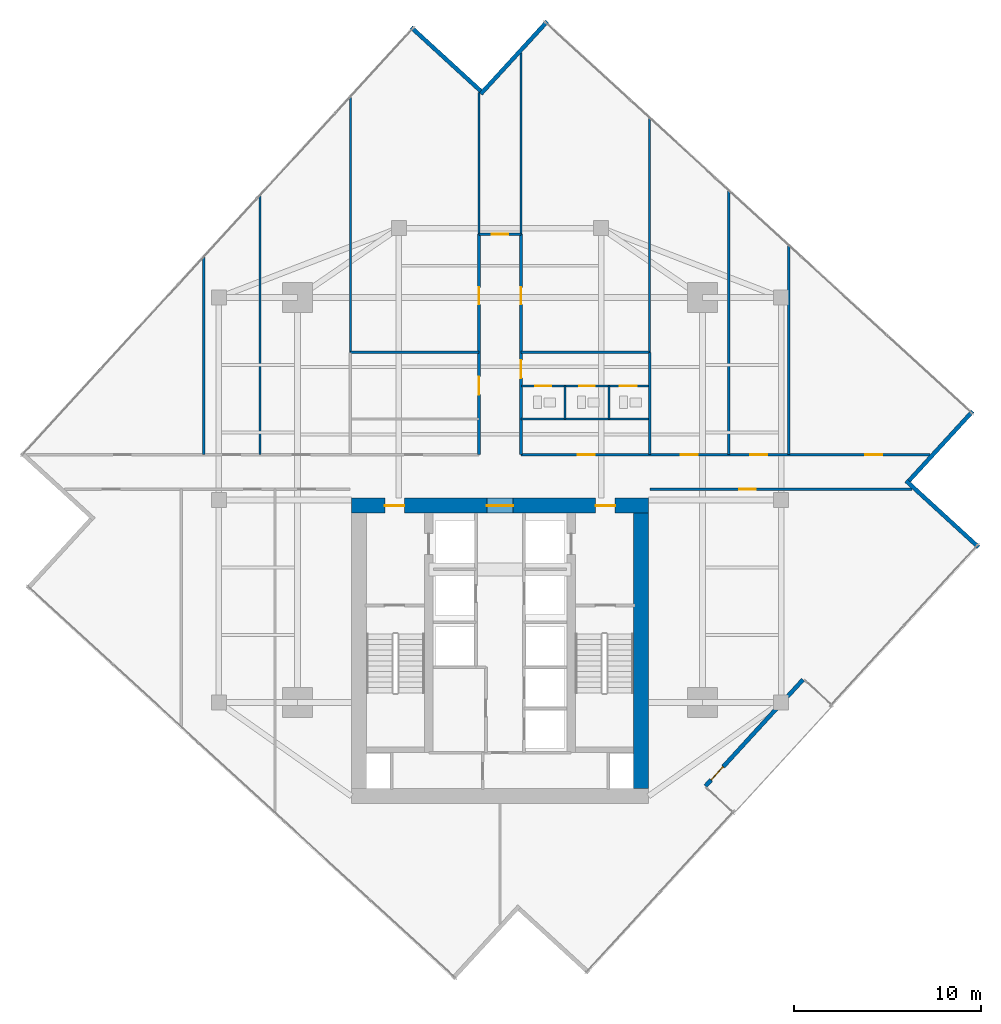
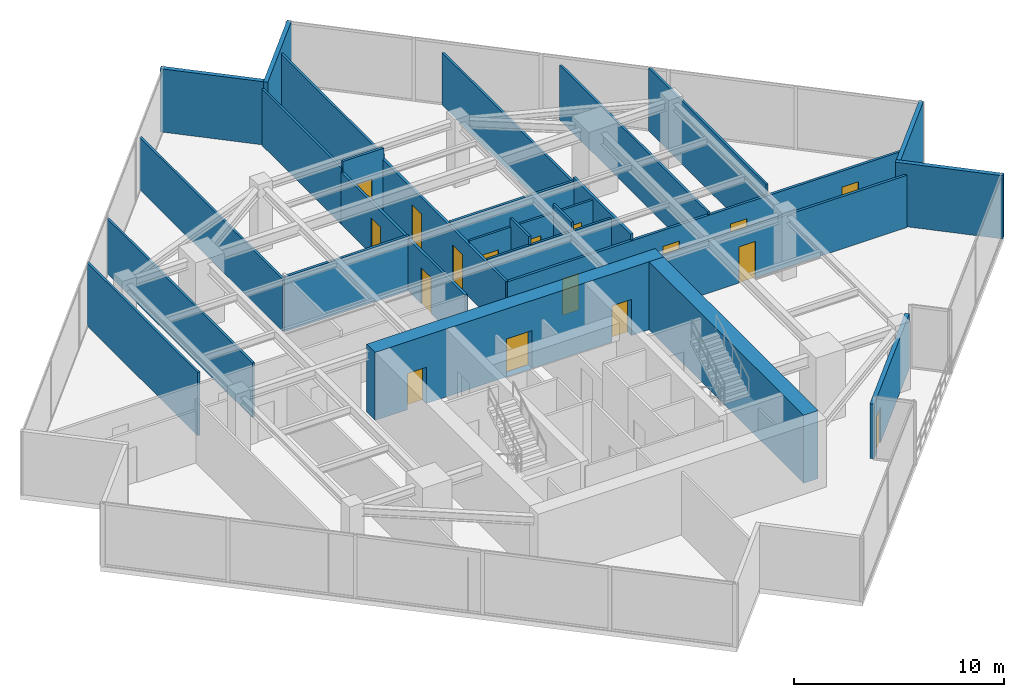
# One storey, part 23 of 26: 27 walls, 17 doors, 17 openings.
"""IFC4 building model written with IfcOpenShell, lengths in metres."""

from ifc_helpers import new_model, si_unit, direction, frame, frame_2d, origin, place, context, subcontext, project, spatial, rectangle, extrude, material, layer, layer_set, type_object, element, fill, save


model = new_model("IFC4")

# Units and contexts
model_context = context("Model", 3, precision=1e-05, world=origin(), true_north=direction((0.0, 1.0)))
body_context = subcontext(model_context, "Body", "Model", "MODEL_VIEW")
ifc_project = project(units=[si_unit("LENGTHUNIT", "METRE"), si_unit("AREAUNIT", "SQUARE_METRE"), si_unit("VOLUMEUNIT", "CUBIC_METRE"), si_unit("PLANEANGLEUNIT", "RADIAN"), si_unit("MASSUNIT", "GRAM", prefix="KILO")], contexts=[model_context])

# Site, building, storey
site_placement = place(None, origin())
site = spatial("IfcSite", under=ifc_project, at=site_placement, CompositionType="ELEMENT")
building_placement = place(site_placement, origin())
building = spatial("IfcBuilding", under=site, at=building_placement, Name="Krantzveldt Concourse Tower", CompositionType="ELEMENT")
storey_placement = place(building_placement, frame((0.0, 0.0, 227.050048828125)))
storey = spatial("IfcBuildingStorey", under=building, at=storey_placement, Name="L55", CompositionType="ELEMENT", Elevation=227.050048828125)

# Wall
ifc_material_1 = material(Name="Anodised aluminium 6063-T6", Category="aluminium")
ifc_layer_1 = layer(ifc_material_1, 0.219970703125, Name="Anodised aluminium 6063-T6", Category="aluminium")
ifc_layer_set_1 = layer_set([ifc_layer_1], Name="Anodised aluminium 6063-T6 (WL-EXT-NOTCH220)")
wall_type_1 = type_object("IfcWallType", Name="WL-EXT-NOTCH220", PredefinedType="ELEMENTEDWALL", material=ifc_layer_set_1)
wall_1_placement = place(storey_placement, frame((34.969482421875, 48.518310546875, 0.0), z_axis=(0.0, 0.0, 1.0), x_axis=(-0.737285215553, 0.675581609375, 0.0)))
element("IfcWall", 1, at=wall_1_placement, inside=storey, type_object=wall_type_1, Name="EW-L55-NCH00", PredefinedType="ELEMENTEDWALL", context=body_context, shape_type="SweptSolid", body=[
    extrude(rectangle(XDim=5.02490234375, YDim=0.219970703125, at=frame_2d((2.512451171875, 0.0))), origin(), (0.0, 0.0, 1.0), 3.669921875),
])

# Wall, opening, door
wall_2_placement = place(storey_placement, frame((52.15625, 17.11083984375, 0.0), z_axis=(0.0, 0.0, 1.0), x_axis=(-0.675590917682, -0.737276686153, 0.0)))
wall_2 = element("IfcWall", 2, at=wall_2_placement, inside=storey, type_object=wall_type_1, Name="EW-L55-TSLOT", PredefinedType="ELEMENTEDWALL", context=body_context, shape_type="SweptSolid", body=[
    extrude(rectangle(XDim=7.68994140625, YDim=0.219970703125, at=frame_2d((3.844970703125, 0.0))), origin(), (0.0, 0.0, 1.0), 3.179931640625),
])
opening_1_placement = place(wall_2_placement, frame((6.2900390625, 0.0, 0.0)))
opening_1 = element("IfcOpeningElement", 3, at=opening_1_placement, cuts=wall_2, Name="Opening D-EX95", PredefinedType="OPENING", context=body_context, shape_type="SweptSolid", body=[
    extrude(rectangle(XDim=0.949951171875, YDim=2.10009765625, at=frame_2d((0.47509765625, 1.050048828125))), frame((0.0, 0.1201171875, 0.0), z_axis=(0.0, -1.0, 0.0), x_axis=(1.0, 0.0, 0.0)), (0.0, 0.0, 1.0), 0.239990234375),
])
door_type_1 = type_object("IfcDoorType", Name="DR-EXT-950", OperationType="SINGLE_SWING_LEFT", PredefinedType="DOOR", material=ifc_material_1)
door_1_placement = place(opening_1_placement, origin())
door_1 = element("IfcDoor", 4, at=door_1_placement, inside=storey, type_object=door_type_1, Name="DR-L55-TERR", OperationType="SINGLE_SWING_LEFT", OverallHeight=2.10009765625, OverallWidth=0.949951171875, PredefinedType="DOOR", context=body_context, shape_type="SweptSolid", body=[
    extrude(rectangle(XDim=0.949951171875, YDim=2.10009765625, at=frame_2d((0.47509765625, 1.050048828125))), frame((0.0, 0.02490234375, 0.0), z_axis=(0.0, -1.0, 0.0), x_axis=(1.0, 0.0, 0.0)), (0.0, 0.0, 1.0), 0.050048828125),
])
fill(opening_1, door_1)

# Walls
wall_3_placement = place(storey_placement, frame((61.530029296875, 24.18017578125, 0.0), z_axis=(0.0, 0.0, 1.0), x_axis=(-0.737293236511, 0.675572855727, 0.0)))
element("IfcWall", 5, at=wall_3_placement, inside=storey, type_object=wall_type_1, Name="EW-L55-NCH12", PredefinedType="ELEMENTEDWALL", context=body_context, shape_type="SweptSolid", body=[
    extrude(rectangle(XDim=5.2451171875, YDim=0.219970703125, at=frame_2d((2.62255859375, 0.0))), origin(), (0.0, 0.0, 1.0), 3.669921875),
])
wall_4_placement = place(storey_placement, frame((57.818359375, 27.73046875, 0.0), z_axis=(0.0, 0.0, 1.0), x_axis=(0.675581609375, 0.737285215553, 0.0)))
element("IfcWall", 6, at=wall_4_placement, inside=storey, type_object=wall_type_1, Name="EW-L55-NCH13", PredefinedType="ELEMENTEDWALL", context=body_context, shape_type="SweptSolid", body=[
    extrude(rectangle(XDim=5.02490234375, YDim=0.219970703125, at=frame_2d((2.512451171875, 0.0))), origin(), (0.0, 0.0, 1.0), 3.669921875),
])
wall_5_placement = place(storey_placement, frame((38.519775390625, 52.22998046875, 0.0), z_axis=(0.0, 0.0, 1.0), x_axis=(-0.675596040677, -0.737271991752, 0.0)))
element("IfcWall", 7, at=wall_5_placement, inside=storey, type_object=wall_type_1, Name="EW-L55-NCH15", PredefinedType="ELEMENTEDWALL", context=body_context, shape_type="SweptSolid", body=[
    extrude(rectangle(XDim=5.244873046875, YDim=0.219970703125, at=frame_2d((2.62255859375, 0.0))), origin(), (0.0, 0.0, 1.0), 3.669921875),
])
ifc_material_2 = material(Name="Fire-rated gypsum plasterboard on steel stud", Category="steel")
ifc_layer_2 = layer(ifc_material_2, 0.1201171875, Name="Fire-rated gypsum plasterboard on steel stud", Category="steel")
ifc_layer_set_2 = layer_set([ifc_layer_2], Name="Fire-rated gypsum plasterboard on steel stud (WL-PART-120)")
wall_type_2 = type_object("IfcWallType", Name="WL-PART-120", PredefinedType="PARTITIONING", material=ifc_layer_set_2)
wall_6_placement = place(storey_placement, frame((37.1201171875, 31.02001953125, 0.0), z_axis=(0.0, 0.0, 1.0), x_axis=(1.0, 0.0, 0.0)))
element("IfcWall", 8, at=wall_6_placement, inside=storey, type_object=wall_type_2, Name="WP-L55-ISMR", PredefinedType="PARTITIONING", context=body_context, shape_type="SweptSolid", body=[
    extrude(rectangle(XDim=6.85986328125, YDim=0.1201171875, at=frame_2d((3.429931640625, 0.0))), origin(), (0.0, 0.0, 1.0), 3.179931640625),
])

# Wall, openings, doors
wall_7_placement = place(storey_placement, frame((37.14990234375, 32.780029296875, 0.0), z_axis=(0.0, 0.0, 1.0), x_axis=(1.0, 0.0, 0.0)))
wall_7 = element("IfcWall", 9, at=wall_7_placement, inside=storey, type_object=wall_type_2, Name="WP-L55-WCHDR", PredefinedType="PARTITIONING", context=body_context, shape_type="SweptSolid", body=[
    extrude(rectangle(XDim=6.800048828125, YDim=0.1201171875, at=frame_2d((3.39990234375, 0.0))), origin(), (0.0, 0.0, 1.0), 3.179931640625),
])
opening_2_placement = place(wall_7_placement, frame((0.72509765625, 0.0, 0.0)))
opening_2 = element("IfcOpeningElement", 10, at=opening_2_placement, cuts=wall_7, Name="Opening D-IN085", PredefinedType="OPENING", context=body_context, shape_type="SweptSolid", body=[
    extrude(rectangle(XDim=0.85009765625, YDim=2.10009765625, at=frame_2d((0.425048828125, 1.050048828125))), frame((0.0, 0.070068359375, 0.0), z_axis=(0.0, -1.0, 0.0), x_axis=(1.0, 0.0, 0.0)), (0.0, 0.0, 1.0), 0.14013671875),
])
opening_3_placement = place(wall_7_placement, frame((3.06494140625, 0.0, 0.0)))
opening_3 = element("IfcOpeningElement", 11, at=opening_3_placement, cuts=wall_7, Name="Opening D-IN085", PredefinedType="OPENING", context=body_context, shape_type="SweptSolid", body=[
    extrude(rectangle(XDim=0.85009765625, YDim=2.10009765625, at=frame_2d((0.425048828125, 1.050048828125))), frame((0.0, 0.070068359375, 0.0), z_axis=(0.0, -1.0, 0.0), x_axis=(1.0, 0.0, 0.0)), (0.0, 0.0, 1.0), 0.14013671875),
])
opening_4_placement = place(wall_7_placement, frame((5.25, 0.0, 0.0)))
opening_4 = element("IfcOpeningElement", 12, at=opening_4_placement, cuts=wall_7, Name="Opening D-IN090", PredefinedType="OPENING", context=body_context, shape_type="SweptSolid", body=[
    extrude(rectangle(XDim=0.89990234375, YDim=2.10009765625, at=frame_2d((0.449951171875, 1.050048828125))), frame((0.0, 0.070068359375, 0.0), z_axis=(0.0, -1.0, 0.0), x_axis=(1.0, 0.0, 0.0)), (0.0, 0.0, 1.0), 0.14013671875),
])
ifc_material_3 = material(Name="Hardwood timber", Category="wood")
door_type_2 = type_object("IfcDoorType", Name="DR-INT-850", OperationType="SINGLE_SWING_LEFT", PredefinedType="DOOR", material=ifc_material_3)
door_2_placement = place(opening_2_placement, origin())
door_2 = element("IfcDoor", 13, at=door_2_placement, inside=storey, type_object=door_type_2, Name="DR-L55-WCM", OperationType="SINGLE_SWING_LEFT", OverallHeight=2.10009765625, OverallWidth=0.85009765625, PredefinedType="DOOR", context=body_context, shape_type="SweptSolid", body=[
    extrude(rectangle(XDim=0.85009765625, YDim=2.10009765625, at=frame_2d((0.425048828125, 1.050048828125))), frame((0.0, 0.02490234375, 0.0), z_axis=(0.0, -1.0, 0.0), x_axis=(1.0, 0.0, 0.0)), (0.0, 0.0, 1.0), 0.050048828125),
])
fill(opening_2, door_2)
door_3_placement = place(opening_3_placement, origin())
door_3 = element("IfcDoor", 14, at=door_3_placement, inside=storey, type_object=door_type_2, Name="DR-L55-WCF", OperationType="SINGLE_SWING_RIGHT", OverallHeight=2.10009765625, OverallWidth=0.85009765625, PredefinedType="DOOR", context=body_context, shape_type="SweptSolid", body=[
    extrude(rectangle(XDim=0.85009765625, YDim=2.10009765625, at=frame_2d((0.425048828125, 1.050048828125))), frame((0.0, 0.02490234375, 0.0), z_axis=(0.0, -1.0, 0.0), x_axis=(1.0, 0.0, 0.0)), (0.0, 0.0, 1.0), 0.050048828125),
])
fill(opening_3, door_3)
door_type_3 = type_object("IfcDoorType", Name="DR-INT-900", OperationType="SINGLE_SWING_LEFT", PredefinedType="DOOR", material=ifc_material_3)
door_4_placement = place(opening_4_placement, origin())
door_4 = element("IfcDoor", 15, at=door_4_placement, inside=storey, type_object=door_type_3, Name="DR-L55-WCA", OperationType="SINGLE_SWING_LEFT", OverallHeight=2.10009765625, OverallWidth=0.89990234375, PredefinedType="DOOR", context=body_context, shape_type="SweptSolid", body=[
    extrude(rectangle(XDim=0.89990234375, YDim=2.10009765625, at=frame_2d((0.449951171875, 1.050048828125))), frame((0.0, 0.02490234375, 0.0), z_axis=(0.0, -1.0, 0.0), x_axis=(1.0, 0.0, 0.0)), (0.0, 0.0, 1.0), 0.050048828125),
])
fill(opening_4, door_4)

# Walls
for number, where, z_axis, x_axis, name in (
    (16, (39.469970703125, 31.02001953125, 0.0), (0.0, 0.0, 1.0), (0.0, 1.0, 0.0), "WP-L55-WCD1"),
    (17, (41.81005859375, 31.02001953125, 0.0), (0.0, 0.0, 1.0), (0.0, 1.0, 0.0), "WP-L55-WCD2"),
):
    element("IfcWall", number, at=place(storey_placement, frame(where, z_axis=z_axis, x_axis=x_axis)), inside=storey, type_object=wall_type_2, Name=name, PredefinedType="PARTITIONING", context=body_context, shape_type="SweptSolid", body=[
        extrude(rectangle(XDim=1.760009765625, YDim=0.1201171875, at=frame_2d((0.8798828125, 0.0))), origin(), (0.0, 0.0, 1.0), 3.669921875),
    ])
wall_8_placement = place(storey_placement, frame((34.8798828125, 40.8798828125, 0.0), z_axis=(0.0, 0.0, 1.0), x_axis=(0.0, 1.0, 0.0)))
element("IfcWall", 18, at=wall_8_placement, inside=storey, type_object=wall_type_2, Name="WP-L55-NTL", PredefinedType="PARTITIONING", context=body_context, shape_type="SweptSolid", body=[
    extrude(rectangle(XDim=7.564453125, YDim=0.1201171875, at=frame_2d((3.7822265625, 0.0))), origin(), (0.0, 0.0, 1.0), 3.280029296875),
])
wall_9_placement = place(storey_placement, frame((37.1201171875, 40.8798828125, 0.0), z_axis=(0.0, 0.0, 1.0), x_axis=(0.0, 1.0, 0.0)))
element("IfcWall", 19, at=wall_9_placement, inside=storey, type_object=wall_type_2, Name="WP-L55-NTR", PredefinedType="PARTITIONING", context=body_context, shape_type="SweptSolid", body=[
    extrude(rectangle(XDim=9.65234375, YDim=0.1201171875, at=frame_2d((4.826171875, 0.0))), origin(), (0.0, 0.0, 1.0), 3.280029296875),
])
wall_10_placement = place(storey_placement, frame((20.199951171875, 29.1201171875, 0.0), z_axis=(0.0, 0.0, 1.0), x_axis=(0.0, 1.0, 0.0)))
element("IfcWall", 20, at=wall_10_placement, inside=storey, type_object=wall_type_2, Name="WP-L55-NWX1", PredefinedType="PARTITIONING", context=body_context, shape_type="SweptSolid", body=[
    extrude(rectangle(XDim=10.5478515625, YDim=0.1201171875, at=frame_2d((5.27392578125, 0.0))), origin(), (0.0, 0.0, 1.0), 3.669921875),
])
wall_11_placement = place(storey_placement, frame((23.199951171875, 29.1201171875, 0.0), z_axis=(0.0, 0.0, 1.0), x_axis=(0.0, 1.0, 0.0)))
element("IfcWall", 21, at=wall_11_placement, inside=storey, type_object=wall_type_2, Name="WP-L55-NWX2", PredefinedType="PARTITIONING", context=body_context, shape_type="SweptSolid", body=[
    extrude(rectangle(XDim=13.82177734375, YDim=0.1201171875, at=frame_2d((6.910888671875, 0.0))), origin(), (0.0, 0.0, 1.0), 3.179931640625),
])
wall_12_placement = place(storey_placement, frame((28.02001953125, 34.580078125, 0.0), z_axis=(0.0, 0.0, 1.0), x_axis=(0.0, 1.0, 0.0)))
element("IfcWall", 22, at=wall_12_placement, inside=storey, type_object=wall_type_2, Name="WP-L55-ISWL2", PredefinedType="PARTITIONING", context=body_context, shape_type="SweptSolid", body=[
    extrude(rectangle(XDim=13.621826171875, YDim=0.1201171875, at=frame_2d((6.81103515625, 0.0))), origin(), (0.0, 0.0, 1.0), 3.030029296875),
])
wall_13_placement = place(storey_placement, frame((43.97998046875, 34.580078125, 0.0), z_axis=(0.0, 0.0, 1.0), x_axis=(0.0, 1.0, 0.0)))
element("IfcWall", 23, at=wall_13_placement, inside=storey, type_object=wall_type_2, Name="WP-L55-ISER2", PredefinedType="PARTITIONING", context=body_context, shape_type="SweptSolid", body=[
    extrude(rectangle(XDim=12.490478515625, YDim=0.1201171875, at=frame_2d((6.2451171875, 0.0))), origin(), (0.0, 0.0, 1.0), 3.030029296875),
])
wall_14_placement = place(storey_placement, frame((48.199951171875, 29.1201171875, 0.0), z_axis=(0.0, 0.0, 1.0), x_axis=(0.0, 1.0, 0.0)))
element("IfcWall", 24, at=wall_14_placement, inside=storey, type_object=wall_type_2, Name="WP-L55-NEX1", PredefinedType="PARTITIONING", context=body_context, shape_type="SweptSolid", body=[
    extrude(rectangle(XDim=14.08349609375, YDim=0.1201171875, at=frame_2d((7.041748046875, 0.0))), origin(), (0.0, 0.0, 1.0), 3.179931640625),
])
wall_15_placement = place(storey_placement, frame((51.39990234375, 29.1201171875, 0.0), z_axis=(0.0, 0.0, 1.0), x_axis=(0.0, 1.0, 0.0)))
element("IfcWall", 25, at=wall_15_placement, inside=storey, type_object=wall_type_2, Name="WP-L55-NEX2", PredefinedType="PARTITIONING", context=body_context, shape_type="SweptSolid", body=[
    extrude(rectangle(XDim=11.1513671875, YDim=0.1201171875, at=frame_2d((5.57568359375, 0.0))), origin(), (0.0, 0.0, 1.0), 3.669921875),
])

# Wall, openings, doors
ifc_layer_3 = layer(ifc_material_2, 0.139892578125, Name="Fire-rated gypsum plasterboard on steel stud", Category="steel")
ifc_layer_set_3 = layer_set([ifc_layer_3], Name="Fire-rated gypsum plasterboard on steel stud (WL-PART-140)")
wall_type_3 = type_object("IfcWallType", Name="WL-PART-140", PredefinedType="PARTITIONING", material=ifc_layer_set_3)
wall_16_placement = place(storey_placement, frame((34.8798828125, 29.1201171875, 0.0), z_axis=(0.0, 0.0, 1.0), x_axis=(0.0, 1.0, 0.0)))
wall_16 = element("IfcWall", 26, at=wall_16_placement, inside=storey, type_object=wall_type_3, Name="WP-L55-SPWL", PredefinedType="PARTITIONING", context=body_context, shape_type="SweptSolid", body=[
    extrude(rectangle(XDim=11.759765625, YDim=0.139892578125, at=frame_2d((5.8798828125, 0.0))), origin(), (0.0, 0.0, 1.0), 3.030029296875),
])
opening_5_placement = place(wall_16_placement, frame((3.205078125, 0.0, 0.0)))
opening_5 = element("IfcOpeningElement", 27, at=opening_5_placement, cuts=wall_16, Name="Opening D-IN095", PredefinedType="OPENING", context=body_context, shape_type="SweptSolid", body=[
    extrude(rectangle(XDim=0.949951171875, YDim=2.10009765625, at=frame_2d((0.47509765625, 1.050048828125))), frame((0.0, 0.080078125, 0.0), z_axis=(0.0, -1.0, 0.0), x_axis=(1.0, 0.0, 0.0)), (0.0, 0.0, 1.0), 0.159912109375),
])
opening_6_placement = place(wall_16_placement, frame((8.02001953125, 0.0, 0.0)))
opening_6 = element("IfcOpeningElement", 28, at=opening_6_placement, cuts=wall_16, Name="Opening D-IN090", PredefinedType="OPENING", context=body_context, shape_type="SweptSolid", body=[
    extrude(rectangle(XDim=0.89990234375, YDim=2.10009765625, at=frame_2d((0.449951171875, 1.050048828125))), frame((0.0, 0.080078125, 0.0), z_axis=(0.0, -1.0, 0.0), x_axis=(1.0, 0.0, 0.0)), (0.0, 0.0, 1.0), 0.159912109375),
])
door_5_placement = place(opening_6_placement, origin())
door_5 = element("IfcDoor", 29, at=door_5_placement, inside=storey, type_object=door_type_3, Name="DR-L55-NWI1", OperationType="SINGLE_SWING_LEFT", OverallHeight=2.10009765625, OverallWidth=0.89990234375, PredefinedType="DOOR", context=body_context, shape_type="SweptSolid", body=[
    extrude(rectangle(XDim=0.89990234375, YDim=2.10009765625, at=frame_2d((0.449951171875, 1.050048828125))), frame((0.0, 0.02490234375, 0.0), z_axis=(0.0, -1.0, 0.0), x_axis=(1.0, 0.0, 0.0)), (0.0, 0.0, 1.0), 0.050048828125),
])
fill(opening_6, door_5)
door_type_4 = type_object("IfcDoorType", Name="DR-INT-950", OperationType="SINGLE_SWING_LEFT", PredefinedType="DOOR", material=ifc_material_3)
door_6_placement = place(opening_5_placement, origin())
door_6 = element("IfcDoor", 30, at=door_6_placement, inside=storey, type_object=door_type_4, Name="DR-L55-PNT", OperationType="SINGLE_SWING_RIGHT", OverallHeight=2.10009765625, OverallWidth=0.949951171875, PredefinedType="DOOR", context=body_context, shape_type="SweptSolid", body=[
    extrude(rectangle(XDim=0.949951171875, YDim=2.10009765625, at=frame_2d((0.47509765625, 1.050048828125))), frame((0.0, 0.02490234375, 0.0), z_axis=(0.0, -1.0, 0.0), x_axis=(1.0, 0.0, 0.0)), (0.0, 0.0, 1.0), 0.050048828125),
])
fill(opening_5, door_6)

wall_17_placement = place(storey_placement, frame((37.1201171875, 29.1201171875, 0.0), z_axis=(0.0, 0.0, 1.0), x_axis=(0.0, 1.0, 0.0)))
wall_17 = element("IfcWall", 31, at=wall_17_placement, inside=storey, type_object=wall_type_3, Name="WP-L55-SPER", PredefinedType="PARTITIONING", context=body_context, shape_type="SweptSolid", body=[
    extrude(rectangle(XDim=11.759765625, YDim=0.139892578125, at=frame_2d((5.8798828125, 0.0))), origin(), (0.0, 0.0, 1.0), 3.030029296875),
])
opening_7_placement = place(wall_17_placement, frame((4.0849609375, 0.0, 0.0)))
opening_7 = element("IfcOpeningElement", 32, at=opening_7_placement, cuts=wall_17, Name="Opening D-IN095", PredefinedType="OPENING", context=body_context, shape_type="SweptSolid", body=[
    extrude(rectangle(XDim=0.949951171875, YDim=2.10009765625, at=frame_2d((0.47509765625, 1.050048828125))), frame((0.0, 0.080078125, 0.0), z_axis=(0.0, -1.0, 0.0), x_axis=(1.0, 0.0, 0.0)), (0.0, 0.0, 1.0), 0.159912109375),
])
opening_8_placement = place(wall_17_placement, frame((8.02001953125, 0.0, 0.0)))
opening_8 = element("IfcOpeningElement", 33, at=opening_8_placement, cuts=wall_17, Name="Opening D-IN090", PredefinedType="OPENING", context=body_context, shape_type="SweptSolid", body=[
    extrude(rectangle(XDim=0.89990234375, YDim=2.10009765625, at=frame_2d((0.449951171875, 1.050048828125))), frame((0.0, 0.080078125, 0.0), z_axis=(0.0, -1.0, 0.0), x_axis=(1.0, 0.0, 0.0)), (0.0, 0.0, 1.0), 0.159912109375),
])
door_7_placement = place(opening_8_placement, origin())
door_7 = element("IfcDoor", 34, at=door_7_placement, inside=storey, type_object=door_type_3, Name="DR-L55-NEI1", OperationType="SINGLE_SWING_LEFT", OverallHeight=2.10009765625, OverallWidth=0.89990234375, PredefinedType="DOOR", context=body_context, shape_type="SweptSolid", body=[
    extrude(rectangle(XDim=0.89990234375, YDim=2.10009765625, at=frame_2d((0.449951171875, 1.050048828125))), frame((0.0, 0.02490234375, 0.0), z_axis=(0.0, -1.0, 0.0), x_axis=(1.0, 0.0, 0.0)), (0.0, 0.0, 1.0), 0.050048828125),
])
fill(opening_8, door_7)
door_8_placement = place(opening_7_placement, origin())
door_8 = element("IfcDoor", 35, at=door_8_placement, inside=storey, type_object=door_type_4, Name="DR-L55-WCLB", OperationType="SINGLE_SWING_LEFT", OverallHeight=2.10009765625, OverallWidth=0.949951171875, PredefinedType="DOOR", context=body_context, shape_type="SweptSolid", body=[
    extrude(rectangle(XDim=0.949951171875, YDim=2.10009765625, at=frame_2d((0.47509765625, 1.050048828125))), frame((0.0, 0.02490234375, 0.0), z_axis=(0.0, -1.0, 0.0), x_axis=(1.0, 0.0, 0.0)), (0.0, 0.0, 1.0), 0.050048828125),
])
fill(opening_7, door_8)

# Wall, opening, door
wall_18_placement = place(storey_placement, frame((34.8798828125, 40.8798828125, 0.0), z_axis=(0.0, 0.0, 1.0), x_axis=(1.0, 0.0, 0.0)))
wall_18 = element("IfcWall", 36, at=wall_18_placement, inside=storey, type_object=wall_type_3, Name="WP-L55-SPTOP", PredefinedType="PARTITIONING", context=body_context, shape_type="SweptSolid", body=[
    extrude(rectangle(XDim=2.240234375, YDim=0.139892578125, at=frame_2d((1.1201171875, 0.0))), origin(), (0.0, 0.0, 1.0), 3.669921875),
])
opening_9_placement = place(wall_18_placement, frame((0.669921875, 0.0, 0.0)))
opening_9 = element("IfcOpeningElement", 37, at=opening_9_placement, cuts=wall_18, Name="Opening D-IN090", PredefinedType="OPENING", context=body_context, shape_type="SweptSolid", body=[
    extrude(rectangle(XDim=0.89990234375, YDim=2.10009765625, at=frame_2d((0.449951171875, 1.050048828125))), frame((0.0, 0.080078125, 0.0), z_axis=(0.0, -1.0, 0.0), x_axis=(1.0, 0.0, 0.0)), (0.0, 0.0, 1.0), 0.159912109375),
])
door_9_placement = place(opening_9_placement, origin())
door_9 = element("IfcDoor", 38, at=door_9_placement, inside=storey, type_object=door_type_3, Name="DR-L55-NTOP", OperationType="SINGLE_SWING_LEFT", OverallHeight=2.10009765625, OverallWidth=0.89990234375, PredefinedType="DOOR", context=body_context, shape_type="SweptSolid", body=[
    extrude(rectangle(XDim=0.89990234375, YDim=2.10009765625, at=frame_2d((0.449951171875, 1.050048828125))), frame((0.0, 0.02490234375, 0.0), z_axis=(0.0, -1.0, 0.0), x_axis=(1.0, 0.0, 0.0)), (0.0, 0.0, 1.0), 0.050048828125),
])
fill(opening_9, door_9)

# Wall, openings, doors
wall_19_placement = place(storey_placement, frame((37.1201171875, 29.1201171875, 0.0), z_axis=(0.0, 0.0, 1.0), x_axis=(1.0, 0.0, 0.0)))
wall_19 = element("IfcWall", 39, at=wall_19_placement, inside=storey, type_object=wall_type_3, Name="WP-L55-EWNR", PredefinedType="PARTITIONING", context=body_context, shape_type="SweptSolid", body=[
    extrude(rectangle(XDim=21.8154296875, YDim=0.139892578125, at=frame_2d((10.90771484375, 0.0))), origin(), (0.0, 0.0, 1.0), 3.030029296875),
])
opening_10_placement = place(wall_19_placement, frame((3.030029296875, 0.0, 0.0)))
opening_10 = element("IfcOpeningElement", 40, at=opening_10_placement, cuts=wall_19, Name="Opening D-IN090", PredefinedType="OPENING", context=body_context, shape_type="SweptSolid", body=[
    extrude(rectangle(XDim=0.89990234375, YDim=2.10009765625, at=frame_2d((0.449951171875, 1.050048828125))), frame((0.0, 0.080078125, 0.0), z_axis=(0.0, -1.0, 0.0), x_axis=(1.0, 0.0, 0.0)), (0.0, 0.0, 1.0), 0.159912109375),
])
opening_11_placement = place(wall_19_placement, frame((8.52001953125, 0.0, 0.0)))
opening_11 = element("IfcOpeningElement", 41, at=opening_11_placement, cuts=wall_19, Name="Opening D-IN090", PredefinedType="OPENING", context=body_context, shape_type="SweptSolid", body=[
    extrude(rectangle(XDim=0.89990234375, YDim=2.10009765625, at=frame_2d((0.449951171875, 1.050048828125))), frame((0.0, 0.080078125, 0.0), z_axis=(0.0, -1.0, 0.0), x_axis=(1.0, 0.0, 0.0)), (0.0, 0.0, 1.0), 0.159912109375),
])
opening_12_placement = place(wall_19_placement, frame((12.22998046875, 0.0, 0.0)))
opening_12 = element("IfcOpeningElement", 42, at=opening_12_placement, cuts=wall_19, Name="Opening D-IN090", PredefinedType="OPENING", context=body_context, shape_type="SweptSolid", body=[
    extrude(rectangle(XDim=0.89990234375, YDim=2.10009765625, at=frame_2d((0.449951171875, 1.050048828125))), frame((0.0, 0.080078125, 0.0), z_axis=(0.0, -1.0, 0.0), x_axis=(1.0, 0.0, 0.0)), (0.0, 0.0, 1.0), 0.159912109375),
])
opening_13_placement = place(wall_19_placement, frame((18.366943359375, 0.0, 0.0)))
opening_13 = element("IfcOpeningElement", 43, at=opening_13_placement, cuts=wall_19, Name="Opening D-IN090", PredefinedType="OPENING", context=body_context, shape_type="SweptSolid", body=[
    extrude(rectangle(XDim=0.89990234375, YDim=2.10009765625, at=frame_2d((0.449951171875, 1.050048828125))), frame((0.0, 0.080078125, 0.0), z_axis=(0.0, -1.0, 0.0), x_axis=(1.0, 0.0, 0.0)), (0.0, 0.0, 1.0), 0.159912109375),
])
door_10_placement = place(opening_10_placement, origin())
door_10 = element("IfcDoor", 44, at=door_10_placement, inside=storey, type_object=door_type_3, Name="DR-L55-ALCR", OperationType="SINGLE_SWING_RIGHT", OverallHeight=2.10009765625, OverallWidth=0.89990234375, PredefinedType="DOOR", context=body_context, shape_type="SweptSolid", body=[
    extrude(rectangle(XDim=0.89990234375, YDim=2.10009765625, at=frame_2d((0.449951171875, 1.050048828125))), frame((0.0, 0.02490234375, 0.0), z_axis=(0.0, -1.0, 0.0), x_axis=(1.0, 0.0, 0.0)), (0.0, 0.0, 1.0), 0.050048828125),
])
fill(opening_10, door_10)
door_11_placement = place(opening_11_placement, origin())
door_11 = element("IfcDoor", 45, at=door_11_placement, inside=storey, type_object=door_type_3, Name="DR-L55-NEX1", OperationType="SINGLE_SWING_RIGHT", OverallHeight=2.10009765625, OverallWidth=0.89990234375, PredefinedType="DOOR", context=body_context, shape_type="SweptSolid", body=[
    extrude(rectangle(XDim=0.89990234375, YDim=2.10009765625, at=frame_2d((0.449951171875, 1.050048828125))), frame((0.0, 0.02490234375, 0.0), z_axis=(0.0, -1.0, 0.0), x_axis=(1.0, 0.0, 0.0)), (0.0, 0.0, 1.0), 0.050048828125),
])
fill(opening_11, door_11)
door_12_placement = place(opening_12_placement, origin())
door_12 = element("IfcDoor", 46, at=door_12_placement, inside=storey, type_object=door_type_3, Name="DR-L55-NEX2", OperationType="SINGLE_SWING_RIGHT", OverallHeight=2.10009765625, OverallWidth=0.89990234375, PredefinedType="DOOR", context=body_context, shape_type="SweptSolid", body=[
    extrude(rectangle(XDim=0.89990234375, YDim=2.10009765625, at=frame_2d((0.449951171875, 1.050048828125))), frame((0.0, 0.02490234375, 0.0), z_axis=(0.0, -1.0, 0.0), x_axis=(1.0, 0.0, 0.0)), (0.0, 0.0, 1.0), 0.050048828125),
])
fill(opening_12, door_12)
door_13_placement = place(opening_13_placement, origin())
door_13 = element("IfcDoor", 47, at=door_13_placement, inside=storey, type_object=door_type_3, Name="DR-L55-NEX3", OperationType="SINGLE_SWING_RIGHT", OverallHeight=2.10009765625, OverallWidth=0.89990234375, PredefinedType="DOOR", context=body_context, shape_type="SweptSolid", body=[
    extrude(rectangle(XDim=0.89990234375, YDim=2.10009765625, at=frame_2d((0.449951171875, 1.050048828125))), frame((0.0, 0.02490234375, 0.0), z_axis=(0.0, -1.0, 0.0), x_axis=(1.0, 0.0, 0.0)), (0.0, 0.0, 1.0), 0.050048828125),
])
fill(opening_13, door_13)

# Wall, opening, door
wall_20_placement = place(storey_placement, frame((44.0, 27.280029296875, 0.0), z_axis=(0.0, 0.0, 1.0), x_axis=(1.0, 0.0, 0.0)))
wall_20 = element("IfcWall", 48, at=wall_20_placement, inside=storey, type_object=wall_type_3, Name="WP-L55-EWSR", PredefinedType="PARTITIONING", context=body_context, shape_type="SweptSolid", body=[
    extrude(rectangle(XDim=13.976806640625, YDim=0.139892578125, at=frame_2d((6.98828125, 0.0))), origin(), (0.0, 0.0, 1.0), 3.030029296875),
])
opening_14_placement = place(wall_20_placement, frame((4.75, 0.0, 0.0)))
opening_14 = element("IfcOpeningElement", 49, at=opening_14_placement, cuts=wall_20, Name="Opening D-IN090", PredefinedType="OPENING", context=body_context, shape_type="SweptSolid", body=[
    extrude(rectangle(XDim=0.89990234375, YDim=2.10009765625, at=frame_2d((0.449951171875, 1.050048828125))), frame((0.0, 0.080078125, 0.0), z_axis=(0.0, -1.0, 0.0), x_axis=(1.0, 0.0, 0.0)), (0.0, 0.0, 1.0), 0.159912109375),
])
door_14_placement = place(opening_14_placement, origin())
door_14 = element("IfcDoor", 50, at=door_14_placement, inside=storey, type_object=door_type_3, Name="DR-L55-SEX1", OperationType="SINGLE_SWING_RIGHT", OverallHeight=2.10009765625, OverallWidth=0.89990234375, PredefinedType="DOOR", context=body_context, shape_type="SweptSolid", body=[
    extrude(rectangle(XDim=0.89990234375, YDim=2.10009765625, at=frame_2d((0.449951171875, 1.050048828125))), frame((0.0, 0.02490234375, 0.0), z_axis=(0.0, -1.0, 0.0), x_axis=(1.0, 0.0, 0.0)), (0.0, 0.0, 1.0), 0.050048828125),
])
fill(opening_14, door_14)

# Walls
for number, where, z_axis, x_axis, name in (
    (51, (28.02001953125, 34.580078125, 0.0), (0.0, 0.0, 1.0), (1.0, 0.0, 0.0), "WP-L55-ISNL"),
    (52, (37.1201171875, 34.580078125, 0.0), (0.0, 0.0, 1.0), (1.0, 0.0, 0.0), "WP-L55-ISNR"),
):
    element("IfcWall", number, at=place(storey_placement, frame(where, z_axis=z_axis, x_axis=x_axis)), inside=storey, type_object=wall_type_3, Name=name, PredefinedType="PARTITIONING", context=body_context, shape_type="SweptSolid", body=[
        extrude(rectangle(XDim=6.85986328125, YDim=0.139892578125, at=frame_2d((3.429931640625, 0.0))), origin(), (0.0, 0.0, 1.0), 3.179931640625),
    ])
wall_21_placement = place(storey_placement, frame((43.97998046875, 29.1201171875, 0.0), z_axis=(0.0, 0.0, 1.0), x_axis=(0.0, 1.0, 0.0)))
element("IfcWall", 53, at=wall_21_placement, inside=storey, type_object=wall_type_3, Name="WP-L55-ISER", PredefinedType="PARTITIONING", context=body_context, shape_type="SweptSolid", body=[
    extrude(rectangle(XDim=5.4599609375, YDim=0.139892578125, at=frame_2d((2.72998046875, 0.0))), origin(), (0.0, 0.0, 1.0), 3.369873046875),
])

# Wall, openings, doors
ifc_material_4 = material(Name="Concrete C60/75", Category="concrete")
ifc_layer_4 = layer(ifc_material_4, 0.800048828125, Name="Concrete C60/75", Category="concrete")
ifc_layer_set_4 = layer_set([ifc_layer_4], Name="Concrete C60/75 (WL-SHEAR-800)")
wall_type_4 = type_object("IfcWallType", Name="WL-SHEAR-800", PredefinedType="SHEAR", material=ifc_layer_set_4)
wall_22_placement = place(storey_placement, frame((28.080078125, 26.39990234375, 0.0), z_axis=(0.0, 0.0, 1.0), x_axis=(1.0, 0.0, 0.0)))
wall_22 = element("IfcWall", 54, at=wall_22_placement, inside=storey, type_object=wall_type_4, Name="CW-L55-N", PredefinedType="SHEAR", context=body_context, shape_type="SweptSolid", body=[
    extrude(rectangle(XDim=15.83984375, YDim=0.800048828125, at=frame_2d((7.919921875, 0.0))), origin(), (0.0, 0.0, 1.0), 3.949951171875),
])
opening_15_placement = place(wall_22_placement, frame((7.219970703125, 0.0, 0.0)))
opening_15 = element("IfcOpeningElement", 55, at=opening_15_placement, cuts=wall_22, Name="Opening D-DB140", PredefinedType="OPENING", context=body_context, shape_type="SweptSolid", body=[
    extrude(rectangle(XDim=1.39990234375, YDim=2.199951171875, at=frame_2d((0.699951171875, 1.10009765625))), frame((0.0, 0.41015625, 0.0), z_axis=(0.0, -1.0, 0.0), x_axis=(1.0, 0.0, 0.0)), (0.0, 0.0, 1.0), 0.820068359375),
])
opening_16_placement = place(wall_22_placement, frame((1.77490234375, 0.0, 0.0)))
opening_16 = element("IfcOpeningElement", 56, at=opening_16_placement, cuts=wall_22, Name="Opening D-FD105", PredefinedType="OPENING", context=body_context, shape_type="SweptSolid", body=[
    extrude(rectangle(XDim=1.050048828125, YDim=2.10009765625, at=frame_2d((0.52490234375, 1.050048828125))), frame((0.0, 0.41015625, 0.0), z_axis=(0.0, -1.0, 0.0), x_axis=(1.0, 0.0, 0.0)), (0.0, 0.0, 1.0), 0.820068359375),
])
opening_17_placement = place(wall_22_placement, frame((13.014892578125, 0.0, 0.0)))
opening_17 = element("IfcOpeningElement", 57, at=opening_17_placement, cuts=wall_22, Name="Opening D-FD105", PredefinedType="OPENING", context=body_context, shape_type="SweptSolid", body=[
    extrude(rectangle(XDim=1.050048828125, YDim=2.10009765625, at=frame_2d((0.52490234375, 1.050048828125))), frame((0.0, 0.41015625, 0.0), z_axis=(0.0, -1.0, 0.0), x_axis=(1.0, 0.0, 0.0)), (0.0, 0.0, 1.0), 0.820068359375),
])
door_type_5 = type_object("IfcDoorType", Name="DR-DBL-1400", OperationType="DOUBLE_DOOR_SINGLE_SWING", PredefinedType="DOOR", material=ifc_material_1)
door_15_placement = place(opening_15_placement, origin())
door_15 = element("IfcDoor", 58, at=door_15_placement, inside=storey, type_object=door_type_5, Name="DR-L55-LLB", OperationType="DOUBLE_DOOR_SINGLE_SWING", OverallHeight=2.199951171875, OverallWidth=1.39990234375, PredefinedType="DOOR", context=body_context, shape_type="SweptSolid", body=[
    extrude(rectangle(XDim=1.39990234375, YDim=2.199951171875, at=frame_2d((0.699951171875, 1.10009765625))), frame((0.0, 0.02490234375, 0.0), z_axis=(0.0, -1.0, 0.0), x_axis=(1.0, 0.0, 0.0)), (0.0, 0.0, 1.0), 0.050048828125),
])
fill(opening_15, door_15)
ifc_material_5 = material(Name="Galvanised steel", Category="steel")
door_type_6 = type_object("IfcDoorType", Name="DR-FD120-1050", OperationType="SINGLE_SWING_LEFT", PredefinedType="DOOR", material=ifc_material_5)
door_16_placement = place(opening_16_placement, origin())
door_16 = element("IfcDoor", 59, at=door_16_placement, inside=storey, type_object=door_type_6, Name="DR-L55-FFL1", OperationType="SINGLE_SWING_LEFT", OverallHeight=2.10009765625, OverallWidth=1.050048828125, PredefinedType="DOOR", context=body_context, shape_type="SweptSolid", body=[
    extrude(rectangle(XDim=1.050048828125, YDim=2.10009765625, at=frame_2d((0.52490234375, 1.050048828125))), frame((0.0, 0.02490234375, 0.0), z_axis=(0.0, -1.0, 0.0), x_axis=(1.0, 0.0, 0.0)), (0.0, 0.0, 1.0), 0.050048828125),
])
fill(opening_16, door_16)
door_17_placement = place(opening_17_placement, origin())
door_17 = element("IfcDoor", 60, at=door_17_placement, inside=storey, type_object=door_type_6, Name="DR-L55-FFL2", OperationType="SINGLE_SWING_RIGHT", OverallHeight=2.10009765625, OverallWidth=1.050048828125, PredefinedType="DOOR", context=body_context, shape_type="SweptSolid", body=[
    extrude(rectangle(XDim=1.050048828125, YDim=2.10009765625, at=frame_2d((0.52490234375, 1.050048828125))), frame((0.0, 0.02490234375, 0.0), z_axis=(0.0, -1.0, 0.0), x_axis=(1.0, 0.0, 0.0)), (0.0, 0.0, 1.0), 0.050048828125),
])
fill(opening_17, door_17)

# Wall
wall_23_placement = place(storey_placement, frame((43.52001953125, 11.300048828125, 0.0), z_axis=(0.0, 0.0, 1.0), x_axis=(0.0, 1.0, 0.0)))
element("IfcWall", 61, at=wall_23_placement, inside=storey, type_object=wall_type_4, Name="CW-L55-E", PredefinedType="SHEAR", context=body_context, shape_type="SweptSolid", body=[
    extrude(rectangle(XDim=14.699951171875, YDim=0.800048828125, at=frame_2d((7.35009765625, 0.0))), origin(), (0.0, 0.0, 1.0), 3.949951171875),
])

save(model, "model.ifc")
